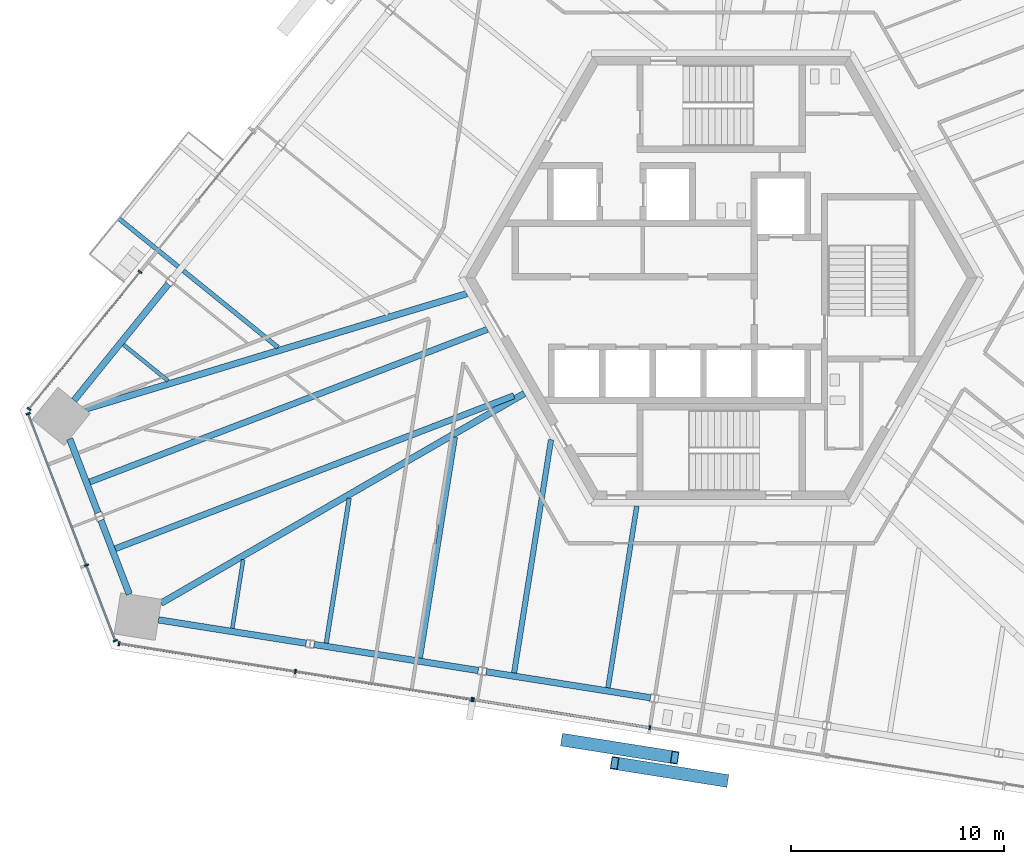
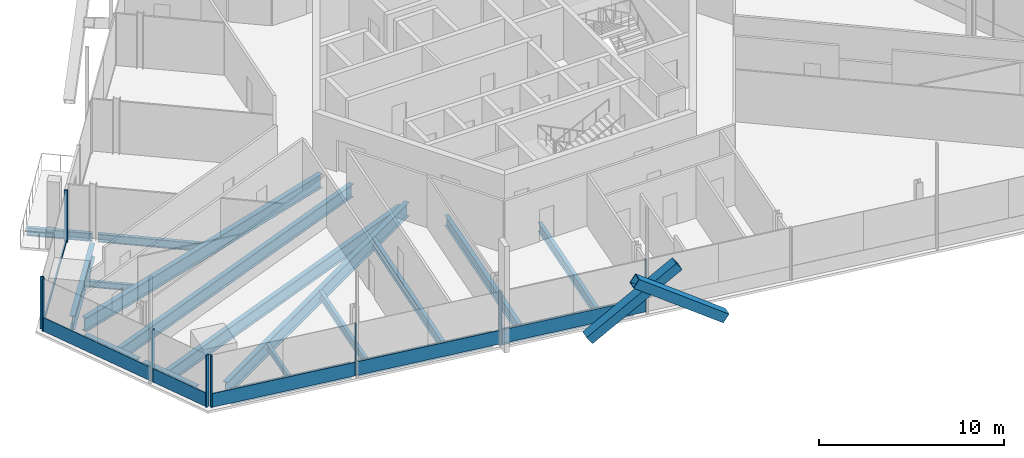
# One storey, part 4 of 22: 18 beams, 18 members, 4 elements without a shape of their own.
"""IFC4 building model written with IfcOpenShell, lengths in metres."""

from ifc_helpers import new_model, si_unit, direction, frame, origin, origin_2d, place, context, subcontext, project, spatial, rectangle, hollow_rectangle, i_section, extrude, source, transform, mapped, material, material_profile, profile_set, type_object, element, aggregate, save


model = new_model("IFC4")

# Units and contexts
model_context = context("Model", 3, precision=1e-05, world=origin(), true_north=direction((0.0, 1.0)))
body_context = subcontext(model_context, "Body", "Model", "MODEL_VIEW")
ifc_project = project(units=[si_unit("LENGTHUNIT", "METRE"), si_unit("AREAUNIT", "SQUARE_METRE"), si_unit("VOLUMEUNIT", "CUBIC_METRE"), si_unit("PLANEANGLEUNIT", "RADIAN"), si_unit("MASSUNIT", "GRAM", prefix="KILO")], contexts=[model_context])

# Site, building, storey
site_placement = place(None, origin())
site = spatial("IfcSite", under=ifc_project, at=site_placement, CompositionType="ELEMENT")
building_placement = place(site_placement, origin())
building = spatial("IfcBuilding", under=site, at=building_placement, Name="Triune Harvest Tower", CompositionType="ELEMENT")
storey_placement = place(building_placement, frame((0.0, 0.0, 153.300048828125)))
storey = spatial("IfcBuildingStorey", under=building, at=storey_placement, Name="L39", CompositionType="ELEMENT", Elevation=153.300048828125)

# Beams
ifc_material_1 = material(Name="Steel ASTM A992 Gr 50", Category="steel")
ifc_material_profile_1 = material_profile(ifc_material_1, i_section(OverallWidth=0.3046875, OverallDepth=0.914306640625, WebThickness=0.0166015625, FlangeThickness=0.02587890625, at=origin_2d()), Name="W36x160")
ifc_profile_set_1 = profile_set([ifc_material_profile_1], Name="Steel ASTM A992 Gr 50")
beam_type_1 = type_object("IfcBeamType", Name="SB-1 Spandrel beam W36x160", PredefinedType="SPANDREL", material=ifc_profile_set_1)
shared_shape_1 = source(origin(), body_context, "Body", "SweptSolid", [
    extrude(i_section(OverallWidth=0.3046875, OverallDepth=0.914306640625, WebThickness=0.0166015625, FlangeThickness=0.02587890625, at=origin_2d()), origin(), (0.0, 0.0, 1.0), 7.013427734375),
])
for number, where, z_axis, x_axis, name in (
    (1, (-25.920166015625, -0.2890625, -0.6171875), (-0.629311381255, -0.777153257358, 0.0), (0.777153257358, -0.629311381255, 0.0), "beam/L39/SB14"),
    (2, (-26.3828125, -16.031982421875, -0.6171875), (0.987682109987, -0.156473798484, 0.0), (0.156473798484, 0.987682109987, 0.0), "beam/L39/SB17"),
):
    element("IfcBeam", number, at=place(storey_placement, frame(where, z_axis=z_axis, x_axis=x_axis)), inside=storey, type_object=beam_type_1, Name=name, PredefinedType="SPANDREL", context=body_context, shape_type="MappedRepresentation", body=[
        mapped(shared_shape_1, transform((0.0, 0.0, 0.0), scale=1.0)),
    ])
shared_shape_2 = source(origin(), body_context, "Body", "SweptSolid", [
    extrude(i_section(OverallWidth=0.3046875, OverallDepth=0.914306640625, WebThickness=0.0166015625, FlangeThickness=0.02587890625, at=origin_2d()), origin(), (0.0, 0.0, 1.0), 3.71240234375),
])
beam_1_placement = place(storey_placement, frame((-30.5439453125, -7.548095703125, -0.6171875), z_axis=(0.358406131368, -0.933565768973, 0.0), x_axis=(0.933565768973, 0.358406131368, 0.0)))
element("IfcBeam", 3, at=beam_1_placement, inside=storey, type_object=beam_type_1, Name="beam/L39/SB15", PredefinedType="SPANDREL", context=body_context, shape_type="MappedRepresentation", body=[
    mapped(shared_shape_2, transform((0.0, 0.0, 0.0), scale=1.0)),
])
shared_shape_3 = source(origin(), body_context, "Body", "SweptSolid", [
    extrude(i_section(OverallWidth=0.3046875, OverallDepth=0.914306640625, WebThickness=0.0166015625, FlangeThickness=0.02587890625, at=origin_2d()), origin(), (0.0, 0.0, 1.0), 7.801513671875),
])
for number, where, z_axis, x_axis, name in (
    (4, (-19.087158203125, -17.187744140625, -0.6171875), (0.98768800071, -0.156436610974, 0.0), (0.156436610974, 0.98768800071, 0.0), "beam/L39/SB18"),
    (5, (-11.0126953125, -18.466552734375, -0.6171875), (0.98768800071, -0.156436610974, 0.0), (0.156436610974, 0.98768800071, 0.0), "beam/L39/SB19"),
):
    element("IfcBeam", number, at=place(storey_placement, frame(where, z_axis=z_axis, x_axis=x_axis)), inside=storey, type_object=beam_type_1, Name=name, PredefinedType="SPANDREL", context=body_context, shape_type="MappedRepresentation", body=[
        mapped(shared_shape_3, transform((0.0, 0.0, 0.0), scale=1.0)),
    ])
shared_shape_4 = source(origin(), body_context, "Body", "SweptSolid", [
    extrude(i_section(OverallWidth=0.3046875, OverallDepth=0.914306640625, WebThickness=0.0166015625, FlangeThickness=0.02587890625, at=origin_2d()), origin(), (0.0, 0.0, 1.0), 3.712646484375),
])
beam_2_placement = place(storey_placement, frame((-29.07958984375, -11.362548828125, -0.6171875), z_axis=(0.358326814132, -0.933596215863, 0.0), x_axis=(0.933596215863, 0.358326814132, 0.0)))
element("IfcBeam", 6, at=beam_2_placement, inside=storey, type_object=beam_type_1, Name="beam/L39/SB16", PredefinedType="SPANDREL", context=body_context, shape_type="MappedRepresentation", body=[
    mapped(shared_shape_4, transform((0.0, 0.0, 0.0), scale=1.0)),
])
ifc_material_2 = material(Name="Steel ASTM A992 Gr 50", Category="steel")
ifc_material_profile_2 = material_profile(ifc_material_2, i_section(OverallWidth=0.307373046875, OverallDepth=0.922119140625, WebThickness=0.018310546875, FlangeThickness=0.030029296875, at=origin_2d()), Name="W36x182")
ifc_profile_set_2 = profile_set([ifc_material_profile_2], Name="Steel ASTM A992 Gr 50")
beam_type_2 = type_object("IfcBeamType", Name="HG-2 Hip girder W36x182", PredefinedType="BEAM", material=ifc_profile_set_2)
shared_shape_5 = source(origin(), body_context, "Body", "SweptSolid", [
    extrude(i_section(OverallWidth=0.307373046875, OverallDepth=0.922119140625, WebThickness=0.018310546875, FlangeThickness=0.030029296875, at=origin_2d()), origin(), (0.0, 0.0, 1.0), 19.670166015625),
])
beam_3_placement = place(storey_placement, frame((-26.25927734375, -15.252197265625, -0.62109375), z_axis=(0.866028709221, 0.499994274773, 0.0), x_axis=(-0.499994274773, 0.866028709221, 0.0)))
element("IfcBeam", 7, at=beam_3_placement, inside=storey, type_object=beam_type_2, Name="beam/L39/HG6", PredefinedType="BEAM", context=body_context, shape_type="MappedRepresentation", body=[
    mapped(shared_shape_5, transform((0.0, 0.0, 0.0), scale=1.0)),
])
shared_shape_6 = source(origin(), body_context, "Body", "SweptSolid", [
    extrude(i_section(OverallWidth=0.307373046875, OverallDepth=0.922119140625, WebThickness=0.018310546875, FlangeThickness=0.030029296875, at=origin_2d()), origin(), (0.0, 0.0, 1.0), 18.69580078125),
])
beam_4_placement = place(storey_placement, frame((-29.819580078125, -6.15576171875, -0.62109375), z_axis=(0.957096860763, 0.289768181686, 0.0), x_axis=(-0.289768181686, 0.957096860763, 0.0)))
element("IfcBeam", 8, at=beam_4_placement, inside=storey, type_object=beam_type_2, Name="beam/L39/HG5", PredefinedType="BEAM", context=body_context, shape_type="MappedRepresentation", body=[
    mapped(shared_shape_6, transform((0.0, 0.0, 0.0), scale=1.0)),
])
ifc_material_3 = material(Name="Steel ASTM A992 Gr 50", Category="steel")
ifc_material_profile_3 = material_profile(ifc_material_3, i_section(OverallWidth=0.2099609375, OverallDepth=0.535888671875, WebThickness=0.010986328125, FlangeThickness=0.017333984375, at=origin_2d()), Name="W21x68")
ifc_profile_set_3 = profile_set([ifc_material_profile_3], Name="Steel ASTM A992 Gr 50")
beam_type_3 = type_object("IfcBeamType", Name="JT-2 Floor joist W21x68", PredefinedType="JOIST", material=ifc_profile_set_3)
shared_shape_7 = source(origin(), body_context, "Body", "SweptSolid", [
    extrude(i_section(OverallWidth=0.2099609375, OverallDepth=0.535888671875, WebThickness=0.010986328125, FlangeThickness=0.017333984375, at=origin_2d()), origin(), (0.0, 0.0, 1.0), 6.871826171875),
])
beam_5_placement = place(storey_placement, frame((-18.513671875, -17.124267578125, -0.427978515625), z_axis=(0.156431434427, 0.987688820592, 0.0), x_axis=(-0.987688820592, 0.156431434427, 0.0)))
element("IfcBeam", 9, at=beam_5_placement, inside=storey, type_object=beam_type_3, Name="beam/L39/JT26", PredefinedType="JOIST", context=body_context, shape_type="MappedRepresentation", body=[
    mapped(shared_shape_7, transform((0.0, 0.0, 0.0), scale=1.0)),
])
ifc_material_4 = material(Name="Steel ASTM A992 Gr 50", Category="steel")
ifc_material_profile_4 = material_profile(ifc_material_4, i_section(OverallWidth=0.22900390625, OverallDepth=0.612060546875, WebThickness=0.011962890625, FlangeThickness=0.01953125, at=origin_2d()), Name="W24x84")
ifc_profile_set_4 = profile_set([ifc_material_profile_4], Name="Steel ASTM A992 Gr 50")
beam_type_4 = type_object("IfcBeamType", Name="JT-3 Floor joist W24x84", PredefinedType="JOIST", material=ifc_profile_set_4)
shared_shape_8 = source(origin(), body_context, "Body", "SweptSolid", [
    extrude(i_section(OverallWidth=0.22900390625, OverallDepth=0.612060546875, WebThickness=0.011962890625, FlangeThickness=0.01953125, at=origin_2d()), origin(), (0.0, 0.0, 1.0), 10.482666015625),
])
beam_6_placement = place(storey_placement, frame((-14.109375, -17.82177734375, -0.466064453125), z_axis=(0.156439750993, 0.987687503368, 0.0), x_axis=(-0.987687503368, 0.156439750993, 0.0)))
element("IfcBeam", 10, at=beam_6_placement, inside=storey, type_object=beam_type_4, Name="beam/L39/JT27", PredefinedType="JOIST", context=body_context, shape_type="MappedRepresentation", body=[
    mapped(shared_shape_8, transform((0.0, 0.0, 0.0), scale=1.0)),
])
ifc_material_5 = material(Name="Steel ASTM A992 Gr 50", Category="steel")
ifc_material_profile_5 = material_profile(ifc_material_5, i_section(OverallWidth=0.180908203125, OverallDepth=0.41650390625, WebThickness=0.010986328125, FlangeThickness=0.01806640625, at=origin_2d()), Name="W16x57")
ifc_profile_set_5 = profile_set([ifc_material_profile_5], Name="Steel ASTM A992 Gr 50")
beam_type_5 = type_object("IfcBeamType", Name="JT-1 Floor joist W16x57", PredefinedType="JOIST", material=ifc_profile_set_5)
shared_shape_9 = source(origin(), body_context, "Body", "SweptSolid", [
    extrude(i_section(OverallWidth=0.180908203125, OverallDepth=0.41650390625, WebThickness=0.010986328125, FlangeThickness=0.01806640625, at=origin_2d()), origin(), (0.0, 0.0, 1.0), 2.687255859375),
])
beam_7_placement = place(storey_placement, frame((-28.022705078125, -3.127685546875, -0.368408203125), z_axis=(0.777141190223, -0.629326282987, 0.0), x_axis=(0.629326282987, 0.777141190223, 0.0)))
element("IfcBeam", 11, at=beam_7_placement, inside=storey, type_object=beam_type_5, Name="beam/L39/JT22", PredefinedType="JOIST", context=body_context, shape_type="MappedRepresentation", body=[
    mapped(shared_shape_9, transform((0.0, 0.0, 0.0), scale=1.0)),
])
ifc_material_6 = material(Name="Steel ASTM A992 Gr 50", Category="steel")
ifc_material_profile_6 = material_profile(ifc_material_6, i_section(OverallWidth=0.2919921875, OverallDepth=0.8583984375, WebThickness=0.01708984375, FlangeThickness=0.031005859375, at=origin_2d()), Name="W33x169")
ifc_profile_set_6 = profile_set([ifc_material_profile_6], Name="Steel ASTM A992 Gr 50")
beam_type_6 = type_object("IfcBeamType", Name="JT-7 Floor joist W33x169", PredefinedType="JOIST", material=ifc_profile_set_6)
shared_shape_10 = source(origin(), body_context, "Body", "SweptSolid", [
    extrude(i_section(OverallWidth=0.2919921875, OverallDepth=0.8583984375, WebThickness=0.01708984375, FlangeThickness=0.031005859375, at=origin_2d()), origin(), (0.0, 0.0, 1.0), 19.97216796875),
])
beam_8_placement = place(storey_placement, frame((-29.6044921875, -9.570068359375, -0.58935546875), z_axis=(0.933578234713, 0.358373659287, 0.0), x_axis=(-0.358373659287, 0.933578234713, 0.0)))
element("IfcBeam", 12, at=beam_8_placement, inside=storey, type_object=beam_type_6, Name="beam/L39/JT23", PredefinedType="JOIST", context=body_context, shape_type="MappedRepresentation", body=[
    mapped(shared_shape_10, transform((0.0, 0.0, 0.0), scale=1.0)),
])
shared_shape_11 = source(origin(), body_context, "Body", "SweptSolid", [
    extrude(i_section(OverallWidth=0.180908203125, OverallDepth=0.41650390625, WebThickness=0.010986328125, FlangeThickness=0.01806640625, at=origin_2d()), origin(), (0.0, 0.0, 1.0), 3.2607421875),
])
beam_9_placement = place(storey_placement, frame((-22.917724609375, -16.4267578125, -0.368408203125), z_axis=(0.156404699139, 0.987693054591, 0.0), x_axis=(-0.987693054591, 0.156404699139, 0.0)))
element("IfcBeam", 13, at=beam_9_placement, inside=storey, type_object=beam_type_5, Name="beam/L39/JT25", PredefinedType="JOIST", context=body_context, shape_type="MappedRepresentation", body=[
    mapped(shared_shape_11, transform((0.0, 0.0, 0.0), scale=1.0)),
])
ifc_material_7 = material(Name="Steel ASTM A992 Gr 50", Category="steel")
ifc_material_profile_7 = material_profile(ifc_material_7, i_section(OverallWidth=0.253662109375, OverallDepth=0.683349609375, WebThickness=0.012451171875, FlangeThickness=0.01904296875, at=origin_2d()), Name="W27x94")
ifc_profile_set_7 = profile_set([ifc_material_profile_7], Name="Steel ASTM A992 Gr 50")
beam_type_7 = type_object("IfcBeamType", Name="JT-4 Floor joist W27x94", PredefinedType="JOIST", material=ifc_profile_set_7)
shared_shape_12 = source(origin(), body_context, "Body", "SweptSolid", [
    extrude(i_section(OverallWidth=0.253662109375, OverallDepth=0.683349609375, WebThickness=0.012451171875, FlangeThickness=0.01904296875, at=origin_2d()), origin(), (0.0, 0.0, 1.0), 11.0712890625),
])
beam_10_placement = place(storey_placement, frame((-9.705078125, -18.519287109375, -0.501708984375), z_axis=(0.156433624309, 0.987688473753, 0.0), x_axis=(-0.987688473753, 0.156433624309, 0.0)))
element("IfcBeam", 14, at=beam_10_placement, inside=storey, type_object=beam_type_7, Name="beam/L39/JT28", PredefinedType="JOIST", context=body_context, shape_type="MappedRepresentation", body=[
    mapped(shared_shape_12, transform((0.0, 0.0, 0.0), scale=1.0)),
])
shared_shape_13 = source(origin(), body_context, "Body", "SweptSolid", [
    extrude(i_section(OverallWidth=0.22900390625, OverallDepth=0.612060546875, WebThickness=0.011962890625, FlangeThickness=0.01953125, at=origin_2d()), origin(), (0.0, 0.0, 1.0), 8.6259765625),
])
beam_11_placement = place(storey_placement, frame((-5.301025390625, -19.216796875, -0.466064453125), z_axis=(0.156430549504, 0.987688960747, 0.0), x_axis=(-0.987688960747, 0.156430549504, 0.0)))
element("IfcBeam", 15, at=beam_11_placement, inside=storey, type_object=beam_type_4, Name="beam/L39/JT29", PredefinedType="JOIST", context=body_context, shape_type="MappedRepresentation", body=[
    mapped(shared_shape_13, transform((0.0, 0.0, 0.0), scale=1.0)),
])
shared_shape_14 = source(origin(), body_context, "Body", "SweptSolid", [
    extrude(i_section(OverallWidth=0.2099609375, OverallDepth=0.535888671875, WebThickness=0.010986328125, FlangeThickness=0.017333984375, at=origin_2d()), origin(), (0.0, 0.0, 1.0), 5.71240234375),
])
beam_12_placement = place(storey_placement, frame((-25.216552734375, 0.337646484375, -0.427978515625), z_axis=(0.777148320449, -0.629317477926, 0.0), x_axis=(0.629317477926, 0.777148320449, 0.0)))
element("IfcBeam", 16, at=beam_12_placement, inside=storey, type_object=beam_type_3, Name="beam/L39/JT21", PredefinedType="JOIST", context=body_context, shape_type="MappedRepresentation", body=[
    mapped(shared_shape_14, transform((0.0, 0.0, 0.0), scale=1.0)),
])
shared_shape_15 = source(origin(), body_context, "Body", "SweptSolid", [
    extrude(i_section(OverallWidth=0.2919921875, OverallDepth=0.8583984375, WebThickness=0.01708984375, FlangeThickness=0.031005859375, at=origin_2d()), origin(), (0.0, 0.0, 1.0), 20.01611328125),
])
beam_13_placement = place(storey_placement, frame((-28.404052734375, -12.697509765625, -0.58935546875), z_axis=(0.933581802132, 0.358364365875, 0.0), x_axis=(-0.358364365875, 0.933581802132, 0.0)))
element("IfcBeam", 17, at=beam_13_placement, inside=storey, type_object=beam_type_6, Name="beam/L39/JT24", PredefinedType="JOIST", context=body_context, shape_type="MappedRepresentation", body=[
    mapped(shared_shape_15, transform((0.0, 0.0, 0.0), scale=1.0)),
])

# Members
ifc_material_8 = material(Name="Steel ASTM A572 Gr 50", Category="steel")
ifc_material_profile_8 = material_profile(ifc_material_8, hollow_rectangle(XDim=0.60009765625, YDim=0.60009765625, WallThickness=0.0400390625, at=origin_2d()), Name="Box 600x600x40")
ifc_profile_set_8 = profile_set([ifc_material_profile_8], Name="Steel ASTM A572 Gr 50")
member_type_1 = type_object("IfcMemberType", Name="BR-2 Brace Box 600x600x40", PredefinedType="BRACE", material=ifc_profile_set_8)
shared_shape_16 = source(origin(), body_context, "Body", "SweptSolid", [
    extrude(hollow_rectangle(XDim=0.60009765625, YDim=0.60009765625, WallThickness=0.0400390625, at=origin_2d()), origin(), (0.0, 0.0, 1.0), 6.3291015625),
])
member_1_placement = place(storey_placement, frame((0.1484375, -23.56396484375, 0.0), z_axis=(-0.812366326234, 0.12868252917, 0.568772150063), x_axis=(-0.15645384908, -0.98768527027, 0.0)))
element("IfcMember", 18, at=member_1_placement, inside=storey, type_object=member_type_1, Name="brace/B4-F5/d2/5", PredefinedType="BRACE", context=body_context, shape_type="MappedRepresentation", body=[
    mapped(shared_shape_16, transform((0.0, 0.0, 0.0), scale=1.0)),
])
shared_shape_17 = source(origin(), body_context, "Body", "SweptSolid", [
    extrude(hollow_rectangle(XDim=0.60009765625, YDim=0.60009765625, WallThickness=0.0400390625, at=origin_2d()), origin(), (0.0, 0.0, 1.0), 6.328857421875),
])
member_2_placement = place(storey_placement, frame((-7.313232421875, -21.67333984375, 0.0), z_axis=(0.812353208141, -0.128686561677, 0.5687899736), x_axis=(0.156461096524, 0.987684122214, 0.0)))
element("IfcMember", 19, at=member_2_placement, inside=storey, type_object=member_type_1, Name="brace/B4-F5/d1/5", PredefinedType="BRACE", context=body_context, shape_type="MappedRepresentation", body=[
    mapped(shared_shape_17, transform((0.0, 0.0, 0.0), scale=1.0)),
])

# Curtain wall, members
ifc_material_9 = material(Name="Aluminium bronze anodised", Category="aluminium")
curtain_wall_type_1 = type_object("IfcCurtainWallType", Name="CW-1 Tower stick curtain wall", PredefinedType="NOTDEFINED", material=ifc_material_9)
curtain_wall_1_placement = place(storey_placement, origin())
curtain_wall_1 = element("IfcCurtainWall", 20, at=curtain_wall_1_placement, inside=storey, type_object=curtain_wall_type_1, Name="CW-1 B4-F4 L39 run 1")
ifc_material_10 = material(Name="Aluminium bronze anodised", Category="aluminium")
ifc_material_profile_9 = material_profile(ifc_material_10, rectangle(XDim=0.199951171875, YDim=0.074951171875, at=origin_2d()), Name="MU-1 mullion 75 x 200")
ifc_profile_set_9 = profile_set([ifc_material_profile_9], Name="Aluminium bronze anodised")
member_type_2 = type_object("IfcMemberType", Name="MU-1 mullion 75 x 200", PredefinedType="MULLION", material=ifc_profile_set_9)
shared_shape_18 = source(origin(), body_context, "Body", "SweptSolid", [
    extrude(rectangle(XDim=0.199951171875, YDim=0.074951171875, at=origin_2d()), origin(), (0.0, 0.0, 1.0), 3.43994140625),
])
member_3_placement = place(storey_placement, frame((-32.485595703125, -6.365234375, 0.0), z_axis=(0.0, 0.0, 1.0), x_axis=(0.933580057745, 0.358368910177, 0.0)))
member_3 = element("IfcMember", 21, at=member_3_placement, type_object=member_type_2, Name="CW-1 mullion B4-F4 1.1", PredefinedType="MULLION", context=body_context, shape_type="MappedRepresentation", body=[
    mapped(shared_shape_18, transform((0.0, 0.0, 0.0), scale=1.0)),
])
member_4_placement = place(storey_placement, frame((-29.7578125, -13.47119140625, 0.0), z_axis=(0.0, 0.0, 1.0), x_axis=(0.933580057745, 0.358368910177, 0.0)))
member_4 = element("IfcMember", 22, at=member_4_placement, type_object=member_type_2, Name="CW-1 mullion B4-F4 1.3", PredefinedType="MULLION", context=body_context, shape_type="MappedRepresentation", body=[
    mapped(shared_shape_18, transform((0.0, 0.0, 0.0), scale=1.0)),
])
member_5_placement = place(storey_placement, frame((-28.400634765625, -17.0068359375, 0.0), z_axis=(0.0, 0.0, 1.0), x_axis=(0.933580057745, 0.358368910177, 0.0)))
member_5 = element("IfcMember", 23, at=member_5_placement, type_object=member_type_2, Name="CW-1 mullion B4-F4 1.4", PredefinedType="MULLION", context=body_context, shape_type="MappedRepresentation", body=[
    mapped(shared_shape_18, transform((0.0, 0.0, 0.0), scale=1.0)),
])

curtain_wall_2_placement = place(storey_placement, origin())
curtain_wall_2 = element("IfcCurtainWall", 24, at=curtain_wall_2_placement, inside=storey, type_object=curtain_wall_type_1, Name="CW-1 B4-F5 L39 run 1")
member_6_placement = place(storey_placement, frame((-28.22900390625, -17.145751953125, 0.0), z_axis=(0.0, 0.0, 1.0), x_axis=(0.156433420065, 0.987688506102, 0.0)))
member_6 = element("IfcMember", 25, at=member_6_placement, type_object=member_type_2, Name="CW-1 mullion B4-F5 1.1", PredefinedType="MULLION", context=body_context, shape_type="MappedRepresentation", body=[
    mapped(shared_shape_18, transform((0.0, 0.0, 0.0), scale=1.0)),
])
member_7_placement = place(storey_placement, frame((-19.95751953125, -18.455810546875, 0.0), z_axis=(0.0, 0.0, 1.0), x_axis=(0.156433420065, 0.987688506102, 0.0)))
member_7 = element("IfcMember", 26, at=member_7_placement, type_object=member_type_2, Name="CW-1 mullion B4-F5 1.3", PredefinedType="MULLION", context=body_context, shape_type="MappedRepresentation", body=[
    mapped(shared_shape_18, transform((0.0, 0.0, 0.0), scale=1.0)),
])
member_8_placement = place(storey_placement, frame((-11.685791015625, -19.765869140625, 0.0), z_axis=(0.0, 0.0, 1.0), x_axis=(0.156433420065, 0.987688506102, 0.0)))
member_8 = element("IfcMember", 27, at=member_8_placement, type_object=member_type_2, Name="CW-1 mullion B4-F5 1.5", PredefinedType="MULLION", context=body_context, shape_type="MappedRepresentation", body=[
    mapped(shared_shape_18, transform((0.0, 0.0, 0.0), scale=1.0)),
])

ifc_material_11 = material(Name="Aluminium bronze anodised", Category="aluminium")
curtain_wall_type_2 = type_object("IfcCurtainWallType", Name="CW-7 Tower stick curtain wall with insulated spandrel infill", PredefinedType="NOTDEFINED", material=ifc_material_11)
curtain_wall_3_placement = place(storey_placement, origin())
curtain_wall_3 = element("IfcCurtainWall", 28, at=curtain_wall_3_placement, inside=storey, type_object=curtain_wall_type_2, Name="CW-7 B4-F5 L39 run 1001")
member_9_placement = place(storey_placement, frame((-11.611572265625, -19.777587890625, 0.0), z_axis=(0.0, 0.0, 1.0), x_axis=(0.156438083227, 0.987687767524, 0.0)))
member_9 = element("IfcMember", 29, at=member_9_placement, type_object=member_type_2, Name="CW-7 mullion B4-F5 1001.1", PredefinedType="MULLION", context=body_context, shape_type="MappedRepresentation", body=[
    mapped(shared_shape_18, transform((0.0, 0.0, 0.0), scale=1.0)),
])
member_10_placement = place(storey_placement, frame((-3.340087890625, -21.087890625, 0.0), z_axis=(0.0, 0.0, 1.0), x_axis=(0.156438083227, 0.987687767524, 0.0)))
member_10 = element("IfcMember", 30, at=member_10_placement, type_object=member_type_2, Name="CW-7 mullion B4-F5 1001.3", PredefinedType="MULLION", context=body_context, shape_type="MappedRepresentation", body=[
    mapped(shared_shape_18, transform((0.0, 0.0, 0.0), scale=1.0)),
])

ifc_material_12 = material(Name="Aluminium bronze anodised", Category="aluminium")
curtain_wall_type_3 = type_object("IfcCurtainWallType", Name="CW-6 Balcony window wall", PredefinedType="NOTDEFINED", material=ifc_material_12)
curtain_wall_4_placement = place(storey_placement, origin())
curtain_wall_4 = element("IfcCurtainWall", 31, at=curtain_wall_4_placement, inside=storey, type_object=curtain_wall_type_3, Name="CW-6 B4-F3 L39 run 2")
ifc_material_13 = material(Name="Aluminium bronze anodised", Category="aluminium")
ifc_material_profile_10 = material_profile(ifc_material_13, rectangle(XDim=0.199951171875, YDim=0.074951171875, at=origin_2d()), Name="MU-6 mullion 75 x 200")
ifc_profile_set_10 = profile_set([ifc_material_profile_10], Name="Aluminium bronze anodised")
member_type_3 = type_object("IfcMemberType", Name="MU-6 mullion 75 x 200", PredefinedType="MULLION", material=ifc_profile_set_10)
shared_shape_19 = source(origin(), body_context, "Body", "SweptSolid", [
    extrude(rectangle(XDim=0.199951171875, YDim=0.074951171875, at=origin_2d()), origin(), (0.0, 0.0, 1.0), 3.43994140625),
])
member_11_placement = place(storey_placement, frame((-27.241943359375, 0.28564453125, 0.0), z_axis=(0.0, 0.0, 1.0), x_axis=(0.777145096577, -0.629321459087, 0.0)))
member_11 = element("IfcMember", 32, at=member_11_placement, type_object=member_type_3, Name="CW-6 mullion B4-F3 2.1", PredefinedType="MULLION", context=body_context, shape_type="MappedRepresentation", body=[
    mapped(shared_shape_19, transform((0.0, 0.0, 0.0), scale=1.0)),
])
member_12_placement = place(storey_placement, frame((-32.451171875, -6.147216796875, 0.0), z_axis=(0.0, 0.0, 1.0), x_axis=(0.777145096577, -0.629321459087, 0.0)))
member_12 = element("IfcMember", 33, at=member_12_placement, type_object=member_type_3, Name="CW-6 mullion B4-F3 2.3", PredefinedType="MULLION", context=body_context, shape_type="MappedRepresentation", body=[
    mapped(shared_shape_19, transform((0.0, 0.0, 0.0), scale=1.0)),
])

# Beam
ifc_material_14 = material(Name="Steel ASTM A992 Gr 50", Category="steel")
ifc_material_profile_11 = material_profile(ifc_material_14, i_section(OverallWidth=0.2099609375, OverallDepth=0.535888671875, WebThickness=0.010986328125, FlangeThickness=0.017333984375, at=origin_2d()), Name="W21x68")
ifc_profile_set_11 = profile_set([ifc_material_profile_11], Name="Steel ASTM A992 Gr 50")
beam_type_8 = type_object("IfcBeamType", Name="BJ-2 Balcony cantilever joist W21x68", PredefinedType="JOIST", material=ifc_profile_set_11)
shared_shape_20 = source(origin(), body_context, "Body", "SweptSolid", [
    extrude(i_section(OverallWidth=0.2099609375, OverallDepth=0.535888671875, WebThickness=0.010986328125, FlangeThickness=0.017333984375, at=origin_2d()), origin(), (0.0, 0.0, 1.0), 3.59765625),
])
beam_14_placement = place(storey_placement, frame((-25.45361328125, 0.529541015625, -0.427978515625), z_axis=(-0.777134237383, 0.629334868799, 0.0), x_axis=(-0.629334868799, -0.777134237383, 0.0)))
element("IfcBeam", 34, at=beam_14_placement, inside=storey, type_object=beam_type_8, Name="Balcony cantilever joist B4-F3 L39.10a", PredefinedType="JOIST", context=body_context, shape_type="MappedRepresentation", body=[
    mapped(shared_shape_20, transform((0.0, 0.0, 0.0), scale=1.0)),
])

# Member
ifc_material_15 = material(Name="Aluminium bronze anodised", Category="aluminium")
ifc_material_profile_12 = material_profile(ifc_material_15, rectangle(XDim=0.090087890625, YDim=0.89990234375, at=origin_2d()), Name="TR-1 transom 90 x 900")
ifc_profile_set_12 = profile_set([ifc_material_profile_12], Name="Aluminium bronze anodised")
member_type_4 = type_object("IfcMemberType", Name="TR-1 transom 90 x 900", PredefinedType="USERDEFINED", material=ifc_profile_set_12)
shared_shape_21 = source(origin(), body_context, "Body", "SweptSolid", [
    extrude(rectangle(XDim=0.090087890625, YDim=0.89990234375, at=origin_2d()), origin(), (0.0, 0.0, 1.0), 3.7119140625),
])
member_13_placement = place(storey_placement, frame((-29.744384765625, -13.50634765625, 0.449951171875), z_axis=(0.358392822083, -0.933570878444, 0.0), x_axis=(0.933570878444, 0.358392822083, 0.0)))
member_13 = element("IfcMember", 35, at=member_13_placement, type_object=member_type_4, Name="CW-1 transom B4-F4 1.2", ObjectType="TRANSOM", PredefinedType="USERDEFINED", context=body_context, shape_type="MappedRepresentation", body=[
    mapped(shared_shape_21, transform((0.0, 0.0, 0.0), scale=1.0)),
])

shared_shape_22 = source(origin(), body_context, "Body", "SweptSolid", [
    extrude(rectangle(XDim=0.090087890625, YDim=0.89990234375, at=origin_2d()), origin(), (0.0, 0.0, 1.0), 7.53662109375),
])
member_14_placement = place(storey_placement, frame((-32.47216796875, -6.400146484375, 0.449951171875), z_axis=(0.358369036816, -0.933580009132, 0.0), x_axis=(0.933580009132, 0.358369036816, 0.0)))
member_14 = element("IfcMember", 36, at=member_14_placement, type_object=member_type_4, Name="CW-1 transom B4-F4 1.1", ObjectType="TRANSOM", PredefinedType="USERDEFINED", context=body_context, shape_type="MappedRepresentation", body=[
    mapped(shared_shape_22, transform((0.0, 0.0, 0.0), scale=1.0)),
])

aggregate(curtain_wall_1, [member_3, member_4, member_5, member_14, member_13])

shared_shape_23 = source(origin(), body_context, "Body", "SweptSolid", [
    extrude(rectangle(XDim=0.090087890625, YDim=0.89990234375, at=origin_2d()), origin(), (0.0, 0.0, 1.0), 8.300048828125),
])
member_15_placement = place(storey_placement, frame((-28.192138671875, -17.151611328125, 0.449951171875), z_axis=(0.987689398324, -0.156427786655, 0.0), x_axis=(0.156427786655, 0.987689398324, 0.0)))
member_15 = element("IfcMember", 37, at=member_15_placement, type_object=member_type_4, Name="CW-1 transom B4-F5 1.1", ObjectType="TRANSOM", PredefinedType="USERDEFINED", context=body_context, shape_type="MappedRepresentation", body=[
    mapped(shared_shape_23, transform((0.0, 0.0, 0.0), scale=1.0)),
])

member_16_placement = place(storey_placement, frame((-19.92041015625, -18.461669921875, 0.449951171875), z_axis=(0.987689398324, -0.156427786655, 0.0), x_axis=(0.156427786655, 0.987689398324, 0.0)))
member_16 = element("IfcMember", 38, at=member_16_placement, type_object=member_type_4, Name="CW-1 transom B4-F5 1.2", ObjectType="TRANSOM", PredefinedType="USERDEFINED", context=body_context, shape_type="MappedRepresentation", body=[
    mapped(shared_shape_23, transform((0.0, 0.0, 0.0), scale=1.0)),
])

aggregate(curtain_wall_2, [member_6, member_7, member_8, member_15, member_16])

member_17_placement = place(storey_placement, frame((-11.57470703125, -19.783447265625, 0.449951171875), z_axis=(0.987684853285, -0.156456481465, 0.0), x_axis=(0.156456481465, 0.987684853285, 0.0)))
member_17 = element("IfcMember", 39, at=member_17_placement, type_object=member_type_4, Name="CW-7 transom B4-F5 1001.1", ObjectType="TRANSOM", PredefinedType="USERDEFINED", context=body_context, shape_type="MappedRepresentation", body=[
    mapped(shared_shape_23, transform((0.0, 0.0, 0.0), scale=1.0)),
])

aggregate(curtain_wall_3, [member_9, member_10, member_17])

ifc_material_16 = material(Name="Aluminium bronze anodised", Category="aluminium")
ifc_material_profile_13 = material_profile(ifc_material_16, rectangle(XDim=0.090087890625, YDim=0.14990234375, at=origin_2d()), Name="TR-6 transom 90 x 150")
ifc_profile_set_13 = profile_set([ifc_material_profile_13], Name="Aluminium bronze anodised")
member_type_5 = type_object("IfcMemberType", Name="TR-6 transom 90 x 150", PredefinedType="USERDEFINED", material=ifc_profile_set_13)
shared_shape_24 = source(origin(), body_context, "Body", "SweptSolid", [
    extrude(rectangle(XDim=0.090087890625, YDim=0.14990234375, at=origin_2d()), origin(), (0.0, 0.0, 1.0), 8.2021484375),
])
member_18_placement = place(storey_placement, frame((-27.265625, 0.25634765625, 0.074951171875), z_axis=(-0.629326659165, -0.777140885595, 0.0), x_axis=(0.777140885595, -0.629326659165, 0.0)))
member_18 = element("IfcMember", 40, at=member_18_placement, type_object=member_type_5, Name="CW-6 transom B4-F3 2.1", ObjectType="TRANSOM", PredefinedType="USERDEFINED", context=body_context, shape_type="MappedRepresentation", body=[
    mapped(shared_shape_24, transform((0.0, 0.0, 0.0), scale=1.0)),
])

aggregate(curtain_wall_4, [member_11, member_12, member_18])

save(model, "model.ifc")
